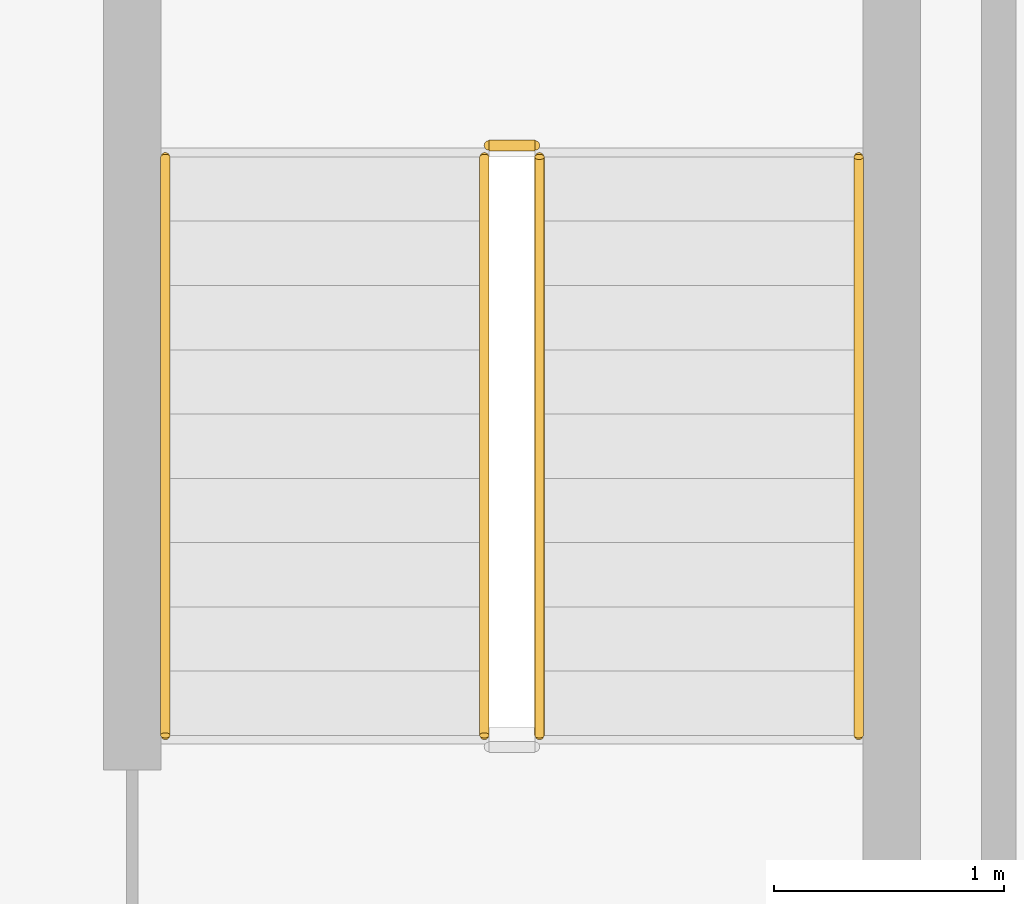
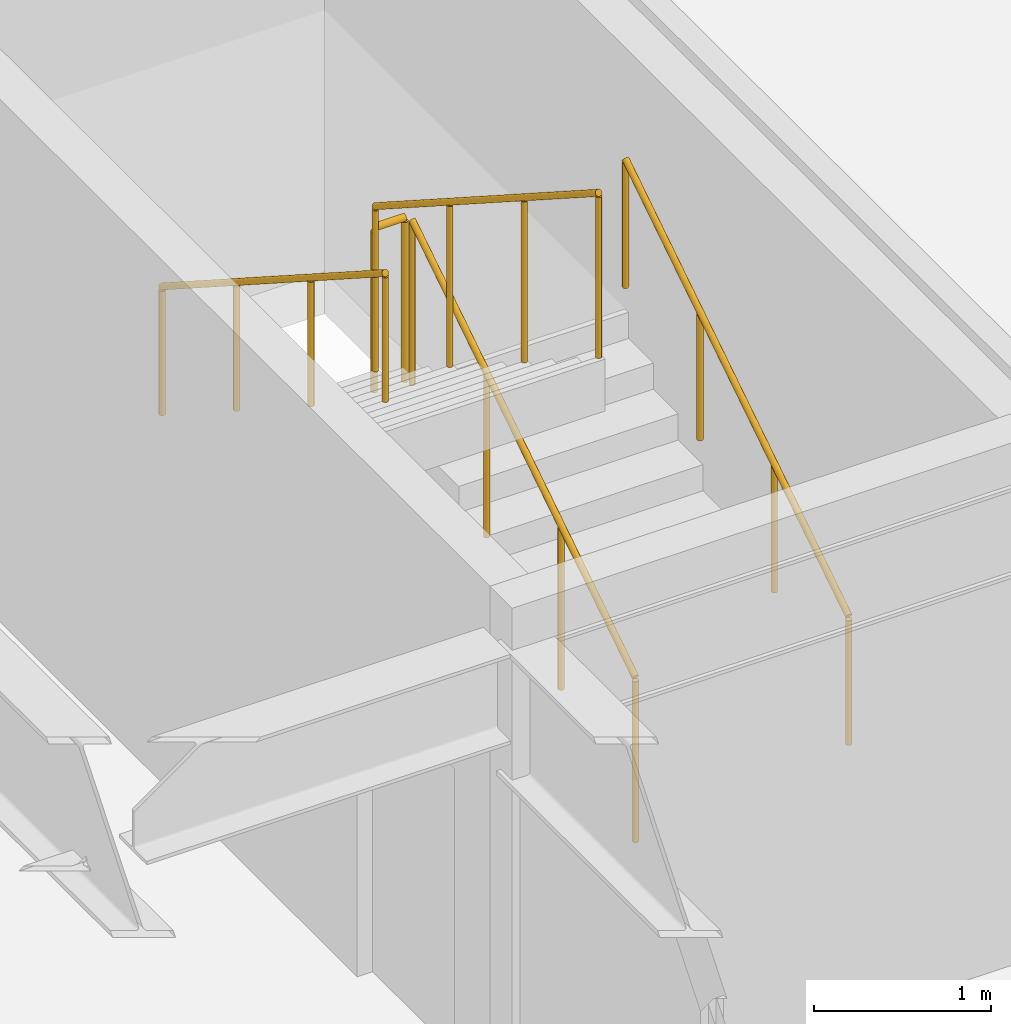
# One storey, part 33 of 36: 5 railings.
"""IFC4 building model written with IfcOpenShell, lengths in metres."""

from ifc_helpers import new_model, si_unit, direction, frame, origin, origin_2d, place, context, subcontext, project, spatial, circle, extrude, material, type_object, element, save


model = new_model("IFC4")

# Units and contexts
model_context = context("Model", 3, precision=1e-05, world=origin(), true_north=direction((0.0, 1.0)))
body_context = subcontext(model_context, "Body", "Model", "MODEL_VIEW")
ifc_project = project(units=[si_unit("LENGTHUNIT", "METRE"), si_unit("AREAUNIT", "SQUARE_METRE"), si_unit("VOLUMEUNIT", "CUBIC_METRE"), si_unit("PLANEANGLEUNIT", "RADIAN"), si_unit("MASSUNIT", "GRAM", prefix="KILO")], contexts=[model_context])

# Site, building, storey
site_placement = place(None, origin())
site = spatial("IfcSite", under=ifc_project, at=site_placement, CompositionType="ELEMENT")
building_placement = place(site_placement, origin())
building = spatial("IfcBuilding", under=site, at=building_placement, Name="Korimba Cascade Residences", CompositionType="ELEMENT")
storey_placement = place(building_placement, frame((0.0, 0.0, 146.5)))
storey = spatial("IfcBuildingStorey", under=building, at=storey_placement, Name="L42", CompositionType="ELEMENT", Elevation=146.5)

# Railings
ifc_material_1 = material(Name="Painted Steel Stairwell Guardrail", Category="steel")
railing_type_1 = type_object("IfcRailingType", Name="RLG-ST-GD1150", PredefinedType="GUARDRAIL", material=ifc_material_1)
railing_1_placement = place(storey_placement, frame((98.14990234375, 39.449951171875, 0.179931640625)))
element("IfcRailing", 1, at=railing_1_placement, inside=storey, type_object=railing_type_1, Name="L42 ST-BR1 stair guard 1", PredefinedType="GUARDRAIL", context=body_context, shape_type="SweptSolid", body=[
    extrude(circle(Radius=0.02099609375, at=origin_2d()), frame((0.0, 0.0, 1.12890625), z_axis=(0.0, 0.841162588446, 0.540782303519), x_axis=(-1.0, 0.0, 0.0)), (0.0, 0.0, 1.0), 2.995849609375),
    extrude(circle(Radius=0.01904296875, at=origin_2d()), origin(), (0.0, 0.0, 1.0), 1.10791015625),
    extrude(circle(Radius=0.01904296875, at=origin_2d()), frame((0.0, 0.840087890625, 0.5400390625)), (0.0, 0.0, 1.0), 1.10791015625),
    extrude(circle(Radius=0.01904296875, at=origin_2d()), frame((0.0, 1.679931640625, 1.080078125)), (0.0, 0.0, 1.0), 1.10791015625),
    extrude(circle(Radius=0.01904296875, at=origin_2d()), frame((0.0, 2.52001953125, 1.6201171875)), (0.0, 0.0, 1.0), 1.10791015625),
])
railing_2_placement = place(storey_placement, frame((98.1298828125, 42.02001953125, 1.800048828125)))
element("IfcRailing", 2, at=railing_2_placement, inside=storey, type_object=railing_type_1, Name="L42 ST-BR1 stair guard 2", PredefinedType="GUARDRAIL", context=body_context, shape_type="SweptSolid", body=[
    extrude(circle(Radius=0.02392578125, at=origin_2d()), frame((0.0, 0.0, 1.1259765625), z_axis=(-1.0, 0.0, 0.0), x_axis=(0.0, -1.0, 0.0)), (0.0, 0.0, 1.0), 0.199951171875),
    extrude(circle(Radius=0.02099609375, at=origin_2d()), origin(), (0.0, 0.0, 1.0), 1.101806640625),
    extrude(circle(Radius=0.02099609375, at=origin_2d()), frame((-0.199951171875, 0.0, 0.0)), (0.0, 0.0, 1.0), 1.101806640625),
])
railing_3_placement = place(storey_placement, frame((97.909912109375, 41.969970703125, 1.97998046875)))
element("IfcRailing", 3, at=railing_3_placement, inside=storey, type_object=railing_type_1, Name="L42 ST-BR1 stair guard 3", PredefinedType="GUARDRAIL", context=body_context, shape_type="SweptSolid", body=[
    extrude(circle(Radius=0.02099609375, at=origin_2d()), frame((0.0, 0.0, 1.12890625), z_axis=(0.0, -0.841162588446, 0.540782303519), x_axis=(1.0, 0.0, 0.0)), (0.0, 0.0, 1.0), 2.995849609375),
    extrude(circle(Radius=0.01904296875, at=origin_2d()), origin(), (0.0, 0.0, 1.0), 1.10791015625),
    extrude(circle(Radius=0.01904296875, at=origin_2d()), frame((0.0, -0.840087890625, 0.5400390625)), (0.0, 0.0, 1.0), 1.10791015625),
    extrude(circle(Radius=0.01904296875, at=origin_2d()), frame((0.0, -1.679931640625, 1.080078125)), (0.0, 0.0, 1.0), 1.10791015625),
    extrude(circle(Radius=0.01904296875, at=origin_2d()), frame((0.0, -2.52001953125, 1.6201171875)), (0.0, 0.0, 1.0), 1.10791015625),
])
ifc_material_2 = material(Name="Brushed Stainless Steel Handrail", Category="steel")
railing_type_2 = type_object("IfcRailingType", Name="RLG-ST-HR900", PredefinedType="HANDRAIL", material=ifc_material_2)
railing_4_placement = place(storey_placement, frame((99.5400390625, 39.449951171875, 0.36376953125)))
element("IfcRailing", 4, at=railing_4_placement, inside=storey, type_object=railing_type_2, Name="L42 ST-BR1 stair handrail 1", PredefinedType="HANDRAIL", context=body_context, shape_type="SweptSolid", body=[
    extrude(circle(Radius=0.02099609375, at=origin_2d()), frame((0.0, 0.0, 0.87890625), z_axis=(0.0, 0.841162588446, 0.540782303519), x_axis=(-1.0, 0.0, 0.0)), (0.0, 0.0, 1.0), 2.995849609375),
    extrude(circle(Radius=0.01904296875, at=origin_2d()), origin(), (0.0, 0.0, 1.0), 0.85791015625),
    extrude(circle(Radius=0.01904296875, at=origin_2d()), frame((0.0, 0.840087890625, 0.5400390625)), (0.0, 0.0, 1.0), 0.85791015625),
    extrude(circle(Radius=0.01904296875, at=origin_2d()), frame((0.0, 1.679931640625, 1.080078125)), (0.0, 0.0, 1.0), 0.85791015625),
    extrude(circle(Radius=0.01904296875, at=origin_2d()), frame((0.0, 2.52001953125, 1.6201171875)), (0.0, 0.0, 1.0), 0.85791015625),
])
railing_5_placement = place(storey_placement, frame((96.52001953125, 41.969970703125, 2.163818359375)))
element("IfcRailing", 5, at=railing_5_placement, inside=storey, type_object=railing_type_2, Name="L42 ST-BR1 stair handrail 2", PredefinedType="HANDRAIL", context=body_context, shape_type="SweptSolid", body=[
    extrude(circle(Radius=0.02099609375, at=origin_2d()), frame((0.0, 0.0, 0.87890625), z_axis=(0.0, -0.841199657755, 0.540724639528), x_axis=(1.0, 0.0, 0.0)), (0.0, 0.0, 1.0), 2.995849609375),
    extrude(circle(Radius=0.01904296875, at=origin_2d()), origin(), (0.0, 0.0, 1.0), 0.85791015625),
    extrude(circle(Radius=0.01904296875, at=origin_2d()), frame((0.0, -0.840087890625, 0.5400390625)), (0.0, 0.0, 1.0), 0.85791015625),
    extrude(circle(Radius=0.01904296875, at=origin_2d()), frame((0.0, -1.679931640625, 1.079833984375)), (0.0, 0.0, 1.0), 0.85791015625),
    extrude(circle(Radius=0.01904296875, at=origin_2d()), frame((0.0, -2.52001953125, 1.619873046875)), (0.0, 0.0, 1.0), 0.85791015625),
])

save(model, "model.ifc")
